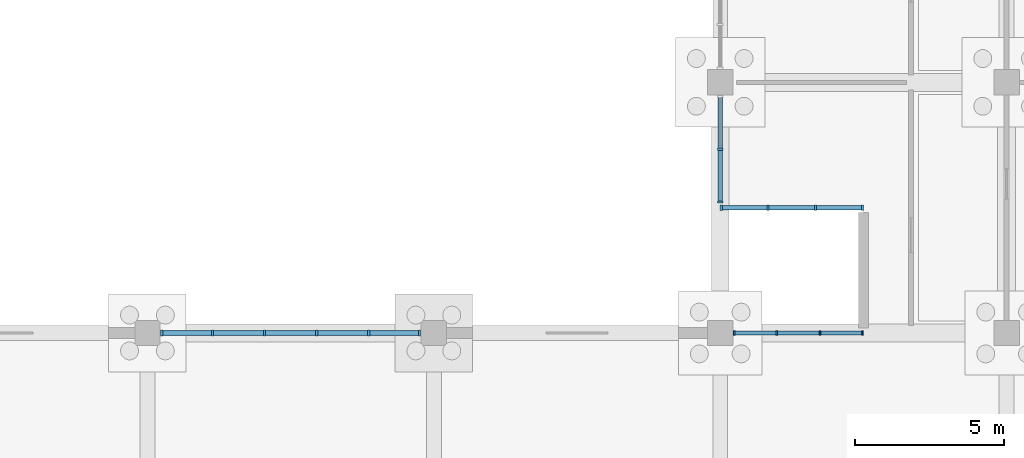
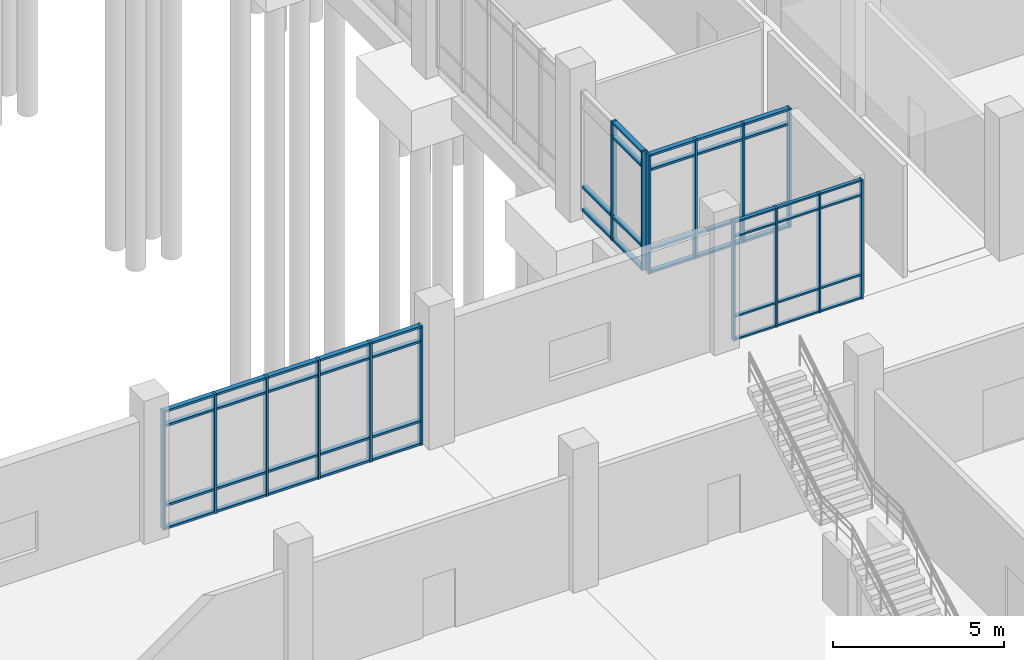
# One storey, part 34 of 136: 66 members, 4 elements without a shape of their own.
"""IFC4 building model written with IfcOpenShell, lengths in metres."""

from ifc_helpers import new_model, si_unit, direction, frame, origin, origin_2d, place, context, subcontext, project, spatial, rectangle, extrude, material, material_profile, profile_set, type_object, element, aggregate, save


model = new_model("IFC4")

# Units and contexts
model_context = context("Model", 3, precision=1e-05, world=origin(), true_north=direction((0.0, 1.0)))
body_context = subcontext(model_context, "Body", "Model", "MODEL_VIEW")
ifc_project = project(units=[si_unit("LENGTHUNIT", "METRE"), si_unit("AREAUNIT", "SQUARE_METRE"), si_unit("VOLUMEUNIT", "CUBIC_METRE"), si_unit("PLANEANGLEUNIT", "RADIAN"), si_unit("MASSUNIT", "GRAM", prefix="KILO")], contexts=[model_context])

# Site, building, storey
site_placement = place(None, origin())
site = spatial("IfcSite", under=ifc_project, at=site_placement, CompositionType="ELEMENT")
building_placement = place(site_placement, origin())
building = spatial("IfcBuilding", under=site, at=building_placement, Name="Oolite Switchyard Hospital", CompositionType="ELEMENT")
storey_placement = place(building_placement, origin())
storey = spatial("IfcBuildingStorey", under=building, at=storey_placement, Name="L00", CompositionType="ELEMENT", Elevation=0.0)

# Curtain wall, members
ifc_material_1 = material(Name="Thermally broken aluminum frame with laminated impact glazing", Category="aluminium")
curtain_wall_type_1 = type_object("IfcCurtainWallType", Name="CW-UNIT-84X51", PredefinedType="USERDEFINED", material=ifc_material_1)
curtain_wall_1_placement = place(storey_placement, origin())
curtain_wall_1 = element("IfcCurtainWall", 1, at=curtain_wall_1_placement, inside=storey, type_object=curtain_wall_type_1, Name="L00 Unitised Curtain Wall 18", ObjectType="UNITISED", PredefinedType="USERDEFINED")
ifc_material_2 = material(Name="Aluminium 6063-T6", Category="aluminium")
ifc_material_profile_1 = material_profile(ifc_material_2, rectangle(XDim=0.159912109375, YDim=0.06005859375, at=origin_2d()), Name="CWM60X160")
ifc_profile_set_1 = profile_set([ifc_material_profile_1], Name="Aluminium 6063-T6")
member_type_1 = type_object("IfcMemberType", Name="CW-MUL-180", PredefinedType="MULLION", material=ifc_profile_set_1)
member_1_placement = place(storey_placement, frame((115.669921875, 33.60009765625, 0.0), z_axis=(0.0, 0.0, 1.0), x_axis=(0.0, 1.0, 0.0)))
member_1 = element("IfcMember", 2, at=member_1_placement, type_object=member_type_1, Name="CW-06 mullion 1", PredefinedType="MULLION", context=body_context, shape_type="SweptSolid", body=[
    extrude(rectangle(XDim=0.159912109375, YDim=0.06005859375, at=origin_2d()), origin(), (0.0, 0.0, 1.0), 4.239990234375),
])
member_2_placement = place(storey_placement, frame((117.09326171875, 33.60009765625, 0.0), z_axis=(0.0, 0.0, 1.0), x_axis=(0.0, 1.0, 0.0)))
member_2 = element("IfcMember", 3, at=member_2_placement, type_object=member_type_1, Name="CW-06 mullion 2", PredefinedType="MULLION", context=body_context, shape_type="SweptSolid", body=[
    extrude(rectangle(XDim=0.159912109375, YDim=0.06005859375, at=origin_2d()), origin(), (0.0, 0.0, 1.0), 4.239990234375),
])
member_3_placement = place(storey_placement, frame((118.546630859375, 33.60009765625, 0.0), z_axis=(0.0, 0.0, 1.0), x_axis=(0.0, 1.0, 0.0)))
member_3 = element("IfcMember", 4, at=member_3_placement, type_object=member_type_1, Name="CW-06 mullion 3", PredefinedType="MULLION", context=body_context, shape_type="SweptSolid", body=[
    extrude(rectangle(XDim=0.159912109375, YDim=0.06005859375, at=origin_2d()), origin(), (0.0, 0.0, 1.0), 4.239990234375),
])
member_4_placement = place(storey_placement, frame((119.969970703125, 33.60009765625, 0.0), z_axis=(0.0, 0.0, 1.0), x_axis=(0.0, 1.0, 0.0)))
member_4 = element("IfcMember", 5, at=member_4_placement, type_object=member_type_1, Name="CW-06 mullion 4", PredefinedType="MULLION", context=body_context, shape_type="SweptSolid", body=[
    extrude(rectangle(XDim=0.159912109375, YDim=0.06005859375, at=origin_2d()), origin(), (0.0, 0.0, 1.0), 4.239990234375),
])

curtain_wall_2_placement = place(storey_placement, origin())
curtain_wall_2 = element("IfcCurtainWall", 6, at=curtain_wall_2_placement, inside=storey, type_object=curtain_wall_type_1, Name="L00 Unitised Curtain Wall 19", ObjectType="UNITISED", PredefinedType="USERDEFINED")
ifc_material_profile_2 = material_profile(ifc_material_2, rectangle(XDim=0.179931640625, YDim=0.070068359375, at=origin_2d()), Name="CWM70X180")
ifc_profile_set_2 = profile_set([ifc_material_profile_2], Name="Aluminium 6063-T6")
member_type_2 = type_object("IfcMemberType", Name="CW-MUL-220", PredefinedType="MULLION", material=ifc_profile_set_2)
member_5_placement = place(storey_placement, frame((119.965087890625, 37.800048828125, 0.0), z_axis=(0.0, 0.0, 1.0), x_axis=(0.0, -1.0, 0.0)))
member_5 = element("IfcMember", 7, at=member_5_placement, type_object=member_type_2, Name="CW-06 mullion 1", PredefinedType="MULLION", context=body_context, shape_type="SweptSolid", body=[
    extrude(rectangle(XDim=0.179931640625, YDim=0.070068359375, at=origin_2d()), origin(), (0.0, 0.0, 1.0), 4.239990234375),
])
member_6_placement = place(storey_placement, frame((118.39990234375, 37.800048828125, 0.0), z_axis=(0.0, 0.0, 1.0), x_axis=(0.0, -1.0, 0.0)))
member_6 = element("IfcMember", 8, at=member_6_placement, type_object=member_type_2, Name="CW-06 mullion 2", PredefinedType="MULLION", context=body_context, shape_type="SweptSolid", body=[
    extrude(rectangle(XDim=0.179931640625, YDim=0.070068359375, at=origin_2d()), origin(), (0.0, 0.0, 1.0), 4.239990234375),
])
member_7_placement = place(storey_placement, frame((116.800048828125, 37.800048828125, 0.0), z_axis=(0.0, 0.0, 1.0), x_axis=(0.0, -1.0, 0.0)))
member_7 = element("IfcMember", 9, at=member_7_placement, type_object=member_type_2, Name="CW-06 mullion 3", PredefinedType="MULLION", context=body_context, shape_type="SweptSolid", body=[
    extrude(rectangle(XDim=0.179931640625, YDim=0.070068359375, at=origin_2d()), origin(), (0.0, 0.0, 1.0), 4.239990234375),
])
member_8_placement = place(storey_placement, frame((115.235107421875, 37.800048828125, 0.0), z_axis=(0.0, 0.0, 1.0), x_axis=(0.0, -1.0, 0.0)))
member_8 = element("IfcMember", 10, at=member_8_placement, type_object=member_type_2, Name="CW-06 mullion 4", PredefinedType="MULLION", context=body_context, shape_type="SweptSolid", body=[
    extrude(rectangle(XDim=0.179931640625, YDim=0.070068359375, at=origin_2d()), origin(), (0.0, 0.0, 1.0), 4.239990234375),
])

curtain_wall_3_placement = place(storey_placement, origin())
curtain_wall_3 = element("IfcCurtainWall", 11, at=curtain_wall_3_placement, inside=storey, type_object=curtain_wall_type_1, Name="L00 Unitised Curtain Wall 67", ObjectType="UNITISED", PredefinedType="USERDEFINED")
member_9_placement = place(storey_placement, frame((115.199951171875, 37.9951171875, 0.0), z_axis=(0.0, 0.0, 1.0), x_axis=(-1.0, 0.0, 0.0)))
member_9 = element("IfcMember", 12, at=member_9_placement, type_object=member_type_2, Name="CW-06 mullion 1", PredefinedType="MULLION", context=body_context, shape_type="SweptSolid", body=[
    extrude(rectangle(XDim=0.179931640625, YDim=0.070068359375, at=origin_2d()), origin(), (0.0, 0.0, 1.0), 4.239990234375),
])
member_10_placement = place(storey_placement, frame((115.199951171875, 39.760009765625, 0.0), z_axis=(0.0, 0.0, 1.0), x_axis=(-1.0, 0.0, 0.0)))
member_10 = element("IfcMember", 13, at=member_10_placement, type_object=member_type_2, Name="CW-06 mullion 2", PredefinedType="MULLION", context=body_context, shape_type="SweptSolid", body=[
    extrude(rectangle(XDim=0.179931640625, YDim=0.070068359375, at=origin_2d()), origin(), (0.0, 0.0, 1.0), 4.239990234375),
])

curtain_wall_type_2 = type_object("IfcCurtainWallType", Name="CW-UNIT-96X51", PredefinedType="USERDEFINED", material=ifc_material_1)
curtain_wall_4_placement = place(storey_placement, origin())
curtain_wall_4 = element("IfcCurtainWall", 14, at=curtain_wall_4_placement, inside=storey, type_object=curtain_wall_type_2, Name="L00 Unitised Curtain Wall 17", ObjectType="UNITISED", PredefinedType="USERDEFINED")
ifc_material_profile_3 = material_profile(ifc_material_2, rectangle(XDim=0.199951171875, YDim=0.074951171875, at=origin_2d()), Name="CWM75X200")
ifc_profile_set_3 = profile_set([ifc_material_profile_3], Name="Aluminium 6063-T6")
member_type_3 = type_object("IfcMemberType", Name="CW-MUL-260", PredefinedType="MULLION", material=ifc_profile_set_3)
member_11_placement = place(storey_placement, frame((96.4775390625, 33.60009765625, 0.0), z_axis=(0.0, 0.0, 1.0), x_axis=(0.0, 1.0, 0.0)))
member_11 = element("IfcMember", 15, at=member_11_placement, type_object=member_type_3, Name="CW-01 mullion 1", PredefinedType="MULLION", context=body_context, shape_type="SweptSolid", body=[
    extrude(rectangle(XDim=0.199951171875, YDim=0.074951171875, at=origin_2d()), origin(), (0.0, 0.0, 1.0), 4.239990234375),
])
member_12_placement = place(storey_placement, frame((98.18408203125, 33.60009765625, 0.0), z_axis=(0.0, 0.0, 1.0), x_axis=(0.0, 1.0, 0.0)))
member_12 = element("IfcMember", 16, at=member_12_placement, type_object=member_type_3, Name="CW-01 mullion 2", PredefinedType="MULLION", context=body_context, shape_type="SweptSolid", body=[
    extrude(rectangle(XDim=0.199951171875, YDim=0.074951171875, at=origin_2d()), origin(), (0.0, 0.0, 1.0), 4.239990234375),
])
member_13_placement = place(storey_placement, frame((99.927978515625, 33.60009765625, 0.0), z_axis=(0.0, 0.0, 1.0), x_axis=(0.0, 1.0, 0.0)))
member_13 = element("IfcMember", 17, at=member_13_placement, type_object=member_type_3, Name="CW-01 mullion 3", PredefinedType="MULLION", context=body_context, shape_type="SweptSolid", body=[
    extrude(rectangle(XDim=0.199951171875, YDim=0.074951171875, at=origin_2d()), origin(), (0.0, 0.0, 1.0), 4.239990234375),
])
member_14_placement = place(storey_placement, frame((101.672119140625, 33.60009765625, 0.0), z_axis=(0.0, 0.0, 1.0), x_axis=(0.0, 1.0, 0.0)))
member_14 = element("IfcMember", 18, at=member_14_placement, type_object=member_type_3, Name="CW-01 mullion 4", PredefinedType="MULLION", context=body_context, shape_type="SweptSolid", body=[
    extrude(rectangle(XDim=0.199951171875, YDim=0.074951171875, at=origin_2d()), origin(), (0.0, 0.0, 1.0), 4.239990234375),
])
member_15_placement = place(storey_placement, frame((103.416015625, 33.60009765625, 0.0), z_axis=(0.0, 0.0, 1.0), x_axis=(0.0, 1.0, 0.0)))
member_15 = element("IfcMember", 19, at=member_15_placement, type_object=member_type_3, Name="CW-01 mullion 5", PredefinedType="MULLION", context=body_context, shape_type="SweptSolid", body=[
    extrude(rectangle(XDim=0.199951171875, YDim=0.074951171875, at=origin_2d()), origin(), (0.0, 0.0, 1.0), 4.239990234375),
])
member_16_placement = place(storey_placement, frame((105.12255859375, 33.60009765625, 0.0), z_axis=(0.0, 0.0, 1.0), x_axis=(0.0, 1.0, 0.0)))
member_16 = element("IfcMember", 20, at=member_16_placement, type_object=member_type_3, Name="CW-01 mullion 6", PredefinedType="MULLION", context=body_context, shape_type="SweptSolid", body=[
    extrude(rectangle(XDim=0.199951171875, YDim=0.074951171875, at=origin_2d()), origin(), (0.0, 0.0, 1.0), 4.239990234375),
])

# Member
ifc_material_profile_4 = material_profile(ifc_material_2, rectangle(XDim=0.1201171875, YDim=0.06005859375, at=origin_2d()), Name="CWT60X120")
ifc_profile_set_4 = profile_set([ifc_material_profile_4], Name="Aluminium 6063-T6")
member_type_4 = type_object("IfcMemberType", Name="CW-TRN-150", PredefinedType="USERDEFINED", material=ifc_profile_set_4)
member_17_placement = place(storey_placement, frame((115.699951171875, 33.60009765625, 0.030029296875), z_axis=(1.0, 0.0, 0.0), x_axis=(0.0, 1.0, 0.0)))
member_17 = element("IfcMember", 21, at=member_17_placement, type_object=member_type_4, Name="CW-06 transom 1.1", ObjectType="TRANSOM", PredefinedType="USERDEFINED", context=body_context, shape_type="SweptSolid", body=[
    extrude(rectangle(XDim=0.1201171875, YDim=0.06005859375, at=origin_2d()), origin(), (0.0, 0.0, 1.0), 1.36328125),
])

member_18_placement = place(storey_placement, frame((115.699951171875, 33.60009765625, 0.85009765625), z_axis=(1.0, 0.0, 0.0), x_axis=(0.0, 1.0, 0.0)))
member_18 = element("IfcMember", 22, at=member_18_placement, type_object=member_type_4, Name="CW-06 transom 1.2", ObjectType="TRANSOM", PredefinedType="USERDEFINED", context=body_context, shape_type="SweptSolid", body=[
    extrude(rectangle(XDim=0.1201171875, YDim=0.06005859375, at=origin_2d()), origin(), (0.0, 0.0, 1.0), 1.36328125),
])

member_19_placement = place(storey_placement, frame((115.699951171875, 33.60009765625, 3.68994140625), z_axis=(1.0, 0.0, 0.0), x_axis=(0.0, 1.0, 0.0)))
member_19 = element("IfcMember", 23, at=member_19_placement, type_object=member_type_4, Name="CW-06 transom 1.3", ObjectType="TRANSOM", PredefinedType="USERDEFINED", context=body_context, shape_type="SweptSolid", body=[
    extrude(rectangle(XDim=0.1201171875, YDim=0.06005859375, at=origin_2d()), origin(), (0.0, 0.0, 1.0), 1.36328125),
])

member_20_placement = place(storey_placement, frame((115.699951171875, 33.60009765625, 4.2099609375), z_axis=(1.0, 0.0, 0.0), x_axis=(0.0, 1.0, 0.0)))
member_20 = element("IfcMember", 24, at=member_20_placement, type_object=member_type_4, Name="CW-06 transom 1.4", ObjectType="TRANSOM", PredefinedType="USERDEFINED", context=body_context, shape_type="SweptSolid", body=[
    extrude(rectangle(XDim=0.1201171875, YDim=0.06005859375, at=origin_2d()), origin(), (0.0, 0.0, 1.0), 1.36328125),
])

member_21_placement = place(storey_placement, frame((117.123291015625, 33.60009765625, 0.030029296875), z_axis=(1.0, 0.0, 0.0), x_axis=(0.0, 1.0, 0.0)))
member_21 = element("IfcMember", 25, at=member_21_placement, type_object=member_type_4, Name="CW-06 transom 2.1", ObjectType="TRANSOM", PredefinedType="USERDEFINED", context=body_context, shape_type="SweptSolid", body=[
    extrude(rectangle(XDim=0.1201171875, YDim=0.06005859375, at=origin_2d()), origin(), (0.0, 0.0, 1.0), 1.393310546875),
])

member_22_placement = place(storey_placement, frame((117.123291015625, 33.60009765625, 0.85009765625), z_axis=(1.0, 0.0, 0.0), x_axis=(0.0, 1.0, 0.0)))
member_22 = element("IfcMember", 26, at=member_22_placement, type_object=member_type_4, Name="CW-06 transom 2.2", ObjectType="TRANSOM", PredefinedType="USERDEFINED", context=body_context, shape_type="SweptSolid", body=[
    extrude(rectangle(XDim=0.1201171875, YDim=0.06005859375, at=origin_2d()), origin(), (0.0, 0.0, 1.0), 1.393310546875),
])

member_23_placement = place(storey_placement, frame((117.123291015625, 33.60009765625, 3.68994140625), z_axis=(1.0, 0.0, 0.0), x_axis=(0.0, 1.0, 0.0)))
member_23 = element("IfcMember", 27, at=member_23_placement, type_object=member_type_4, Name="CW-06 transom 2.3", ObjectType="TRANSOM", PredefinedType="USERDEFINED", context=body_context, shape_type="SweptSolid", body=[
    extrude(rectangle(XDim=0.1201171875, YDim=0.06005859375, at=origin_2d()), origin(), (0.0, 0.0, 1.0), 1.393310546875),
])

member_24_placement = place(storey_placement, frame((117.123291015625, 33.60009765625, 4.2099609375), z_axis=(1.0, 0.0, 0.0), x_axis=(0.0, 1.0, 0.0)))
member_24 = element("IfcMember", 28, at=member_24_placement, type_object=member_type_4, Name="CW-06 transom 2.4", ObjectType="TRANSOM", PredefinedType="USERDEFINED", context=body_context, shape_type="SweptSolid", body=[
    extrude(rectangle(XDim=0.1201171875, YDim=0.06005859375, at=origin_2d()), origin(), (0.0, 0.0, 1.0), 1.393310546875),
])

member_25_placement = place(storey_placement, frame((118.57666015625, 33.60009765625, 0.030029296875), z_axis=(1.0, 0.0, 0.0), x_axis=(0.0, 1.0, 0.0)))
member_25 = element("IfcMember", 29, at=member_25_placement, type_object=member_type_4, Name="CW-06 transom 3.1", ObjectType="TRANSOM", PredefinedType="USERDEFINED", context=body_context, shape_type="SweptSolid", body=[
    extrude(rectangle(XDim=0.1201171875, YDim=0.06005859375, at=origin_2d()), origin(), (0.0, 0.0, 1.0), 1.36328125),
])

member_26_placement = place(storey_placement, frame((118.57666015625, 33.60009765625, 0.85009765625), z_axis=(1.0, 0.0, 0.0), x_axis=(0.0, 1.0, 0.0)))
member_26 = element("IfcMember", 30, at=member_26_placement, type_object=member_type_4, Name="CW-06 transom 3.2", ObjectType="TRANSOM", PredefinedType="USERDEFINED", context=body_context, shape_type="SweptSolid", body=[
    extrude(rectangle(XDim=0.1201171875, YDim=0.06005859375, at=origin_2d()), origin(), (0.0, 0.0, 1.0), 1.36328125),
])

member_27_placement = place(storey_placement, frame((118.57666015625, 33.60009765625, 3.68994140625), z_axis=(1.0, 0.0, 0.0), x_axis=(0.0, 1.0, 0.0)))
member_27 = element("IfcMember", 31, at=member_27_placement, type_object=member_type_4, Name="CW-06 transom 3.3", ObjectType="TRANSOM", PredefinedType="USERDEFINED", context=body_context, shape_type="SweptSolid", body=[
    extrude(rectangle(XDim=0.1201171875, YDim=0.06005859375, at=origin_2d()), origin(), (0.0, 0.0, 1.0), 1.36328125),
])

member_28_placement = place(storey_placement, frame((118.57666015625, 33.60009765625, 4.2099609375), z_axis=(1.0, 0.0, 0.0), x_axis=(0.0, 1.0, 0.0)))
member_28 = element("IfcMember", 32, at=member_28_placement, type_object=member_type_4, Name="CW-06 transom 3.4", ObjectType="TRANSOM", PredefinedType="USERDEFINED", context=body_context, shape_type="SweptSolid", body=[
    extrude(rectangle(XDim=0.1201171875, YDim=0.06005859375, at=origin_2d()), origin(), (0.0, 0.0, 1.0), 1.36328125),
])

aggregate(curtain_wall_1, [member_1, member_2, member_3, member_4, member_17, member_18, member_19, member_20, member_21, member_22, member_23, member_24, member_25, member_26, member_27, member_28])

ifc_material_profile_5 = material_profile(ifc_material_2, rectangle(XDim=0.159912109375, YDim=0.074951171875, at=origin_2d()), Name="CWT75X160")
ifc_profile_set_5 = profile_set([ifc_material_profile_5], Name="Aluminium 6063-T6")
member_type_5 = type_object("IfcMemberType", Name="CW-TRN-180", PredefinedType="USERDEFINED", material=ifc_profile_set_5)
member_29_placement = place(storey_placement, frame((96.514892578125, 33.60009765625, 0.03759765625), z_axis=(1.0, 0.0, 0.0), x_axis=(0.0, 1.0, 0.0)))
member_29 = element("IfcMember", 33, at=member_29_placement, type_object=member_type_5, Name="CW-01 transom 1.1", ObjectType="TRANSOM", PredefinedType="USERDEFINED", context=body_context, shape_type="SweptSolid", body=[
    extrude(rectangle(XDim=0.159912109375, YDim=0.074951171875, at=origin_2d()), origin(), (0.0, 0.0, 1.0), 1.631591796875),
])

member_30_placement = place(storey_placement, frame((96.514892578125, 33.60009765625, 0.85009765625), z_axis=(1.0, 0.0, 0.0), x_axis=(0.0, 1.0, 0.0)))
member_30 = element("IfcMember", 34, at=member_30_placement, type_object=member_type_5, Name="CW-01 transom 1.2", ObjectType="TRANSOM", PredefinedType="USERDEFINED", context=body_context, shape_type="SweptSolid", body=[
    extrude(rectangle(XDim=0.159912109375, YDim=0.074951171875, at=origin_2d()), origin(), (0.0, 0.0, 1.0), 1.631591796875),
])

member_31_placement = place(storey_placement, frame((96.514892578125, 33.60009765625, 3.68994140625), z_axis=(1.0, 0.0, 0.0), x_axis=(0.0, 1.0, 0.0)))
member_31 = element("IfcMember", 35, at=member_31_placement, type_object=member_type_5, Name="CW-01 transom 1.3", ObjectType="TRANSOM", PredefinedType="USERDEFINED", context=body_context, shape_type="SweptSolid", body=[
    extrude(rectangle(XDim=0.159912109375, YDim=0.074951171875, at=origin_2d()), origin(), (0.0, 0.0, 1.0), 1.631591796875),
])

member_32_placement = place(storey_placement, frame((96.514892578125, 33.60009765625, 4.202392578125), z_axis=(1.0, 0.0, 0.0), x_axis=(0.0, 1.0, 0.0)))
member_32 = element("IfcMember", 36, at=member_32_placement, type_object=member_type_5, Name="CW-01 transom 1.4", ObjectType="TRANSOM", PredefinedType="USERDEFINED", context=body_context, shape_type="SweptSolid", body=[
    extrude(rectangle(XDim=0.159912109375, YDim=0.074951171875, at=origin_2d()), origin(), (0.0, 0.0, 1.0), 1.631591796875),
])

member_33_placement = place(storey_placement, frame((98.221435546875, 33.60009765625, 0.03759765625), z_axis=(1.0, 0.0, 0.0), x_axis=(0.0, 1.0, 0.0)))
member_33 = element("IfcMember", 37, at=member_33_placement, type_object=member_type_5, Name="CW-01 transom 2.1", ObjectType="TRANSOM", PredefinedType="USERDEFINED", context=body_context, shape_type="SweptSolid", body=[
    extrude(rectangle(XDim=0.159912109375, YDim=0.074951171875, at=origin_2d()), origin(), (0.0, 0.0, 1.0), 1.6689453125),
])

member_34_placement = place(storey_placement, frame((98.221435546875, 33.60009765625, 0.85009765625), z_axis=(1.0, 0.0, 0.0), x_axis=(0.0, 1.0, 0.0)))
member_34 = element("IfcMember", 38, at=member_34_placement, type_object=member_type_5, Name="CW-01 transom 2.2", ObjectType="TRANSOM", PredefinedType="USERDEFINED", context=body_context, shape_type="SweptSolid", body=[
    extrude(rectangle(XDim=0.159912109375, YDim=0.074951171875, at=origin_2d()), origin(), (0.0, 0.0, 1.0), 1.6689453125),
])

member_35_placement = place(storey_placement, frame((98.221435546875, 33.60009765625, 3.68994140625), z_axis=(1.0, 0.0, 0.0), x_axis=(0.0, 1.0, 0.0)))
member_35 = element("IfcMember", 39, at=member_35_placement, type_object=member_type_5, Name="CW-01 transom 2.3", ObjectType="TRANSOM", PredefinedType="USERDEFINED", context=body_context, shape_type="SweptSolid", body=[
    extrude(rectangle(XDim=0.159912109375, YDim=0.074951171875, at=origin_2d()), origin(), (0.0, 0.0, 1.0), 1.6689453125),
])

member_36_placement = place(storey_placement, frame((98.221435546875, 33.60009765625, 4.202392578125), z_axis=(1.0, 0.0, 0.0), x_axis=(0.0, 1.0, 0.0)))
member_36 = element("IfcMember", 40, at=member_36_placement, type_object=member_type_5, Name="CW-01 transom 2.4", ObjectType="TRANSOM", PredefinedType="USERDEFINED", context=body_context, shape_type="SweptSolid", body=[
    extrude(rectangle(XDim=0.159912109375, YDim=0.074951171875, at=origin_2d()), origin(), (0.0, 0.0, 1.0), 1.6689453125),
])

member_37_placement = place(storey_placement, frame((99.965576171875, 33.60009765625, 0.03759765625), z_axis=(1.0, 0.0, 0.0), x_axis=(0.0, 1.0, 0.0)))
member_37 = element("IfcMember", 41, at=member_37_placement, type_object=member_type_5, Name="CW-01 transom 3.1", ObjectType="TRANSOM", PredefinedType="USERDEFINED", context=body_context, shape_type="SweptSolid", body=[
    extrude(rectangle(XDim=0.159912109375, YDim=0.074951171875, at=origin_2d()), origin(), (0.0, 0.0, 1.0), 1.6689453125),
])

member_38_placement = place(storey_placement, frame((99.965576171875, 33.60009765625, 0.85009765625), z_axis=(1.0, 0.0, 0.0), x_axis=(0.0, 1.0, 0.0)))
member_38 = element("IfcMember", 42, at=member_38_placement, type_object=member_type_5, Name="CW-01 transom 3.2", ObjectType="TRANSOM", PredefinedType="USERDEFINED", context=body_context, shape_type="SweptSolid", body=[
    extrude(rectangle(XDim=0.159912109375, YDim=0.074951171875, at=origin_2d()), origin(), (0.0, 0.0, 1.0), 1.6689453125),
])

member_39_placement = place(storey_placement, frame((99.965576171875, 33.60009765625, 3.68994140625), z_axis=(1.0, 0.0, 0.0), x_axis=(0.0, 1.0, 0.0)))
member_39 = element("IfcMember", 43, at=member_39_placement, type_object=member_type_5, Name="CW-01 transom 3.3", ObjectType="TRANSOM", PredefinedType="USERDEFINED", context=body_context, shape_type="SweptSolid", body=[
    extrude(rectangle(XDim=0.159912109375, YDim=0.074951171875, at=origin_2d()), origin(), (0.0, 0.0, 1.0), 1.6689453125),
])

member_40_placement = place(storey_placement, frame((99.965576171875, 33.60009765625, 4.202392578125), z_axis=(1.0, 0.0, 0.0), x_axis=(0.0, 1.0, 0.0)))
member_40 = element("IfcMember", 44, at=member_40_placement, type_object=member_type_5, Name="CW-01 transom 3.4", ObjectType="TRANSOM", PredefinedType="USERDEFINED", context=body_context, shape_type="SweptSolid", body=[
    extrude(rectangle(XDim=0.159912109375, YDim=0.074951171875, at=origin_2d()), origin(), (0.0, 0.0, 1.0), 1.6689453125),
])

member_41_placement = place(storey_placement, frame((101.70947265625, 33.60009765625, 0.03759765625), z_axis=(1.0, 0.0, 0.0), x_axis=(0.0, 1.0, 0.0)))
member_41 = element("IfcMember", 45, at=member_41_placement, type_object=member_type_5, Name="CW-01 transom 4.1", ObjectType="TRANSOM", PredefinedType="USERDEFINED", context=body_context, shape_type="SweptSolid", body=[
    extrude(rectangle(XDim=0.159912109375, YDim=0.074951171875, at=origin_2d()), origin(), (0.0, 0.0, 1.0), 1.6689453125),
])

member_42_placement = place(storey_placement, frame((101.70947265625, 33.60009765625, 0.85009765625), z_axis=(1.0, 0.0, 0.0), x_axis=(0.0, 1.0, 0.0)))
member_42 = element("IfcMember", 46, at=member_42_placement, type_object=member_type_5, Name="CW-01 transom 4.2", ObjectType="TRANSOM", PredefinedType="USERDEFINED", context=body_context, shape_type="SweptSolid", body=[
    extrude(rectangle(XDim=0.159912109375, YDim=0.074951171875, at=origin_2d()), origin(), (0.0, 0.0, 1.0), 1.6689453125),
])

member_43_placement = place(storey_placement, frame((101.70947265625, 33.60009765625, 3.68994140625), z_axis=(1.0, 0.0, 0.0), x_axis=(0.0, 1.0, 0.0)))
member_43 = element("IfcMember", 47, at=member_43_placement, type_object=member_type_5, Name="CW-01 transom 4.3", ObjectType="TRANSOM", PredefinedType="USERDEFINED", context=body_context, shape_type="SweptSolid", body=[
    extrude(rectangle(XDim=0.159912109375, YDim=0.074951171875, at=origin_2d()), origin(), (0.0, 0.0, 1.0), 1.6689453125),
])

member_44_placement = place(storey_placement, frame((101.70947265625, 33.60009765625, 4.202392578125), z_axis=(1.0, 0.0, 0.0), x_axis=(0.0, 1.0, 0.0)))
member_44 = element("IfcMember", 48, at=member_44_placement, type_object=member_type_5, Name="CW-01 transom 4.4", ObjectType="TRANSOM", PredefinedType="USERDEFINED", context=body_context, shape_type="SweptSolid", body=[
    extrude(rectangle(XDim=0.159912109375, YDim=0.074951171875, at=origin_2d()), origin(), (0.0, 0.0, 1.0), 1.6689453125),
])

member_45_placement = place(storey_placement, frame((103.45361328125, 33.60009765625, 0.03759765625), z_axis=(1.0, 0.0, 0.0), x_axis=(0.0, 1.0, 0.0)))
member_45 = element("IfcMember", 49, at=member_45_placement, type_object=member_type_5, Name="CW-01 transom 5.1", ObjectType="TRANSOM", PredefinedType="USERDEFINED", context=body_context, shape_type="SweptSolid", body=[
    extrude(rectangle(XDim=0.159912109375, YDim=0.074951171875, at=origin_2d()), origin(), (0.0, 0.0, 1.0), 1.63134765625),
])

member_46_placement = place(storey_placement, frame((103.45361328125, 33.60009765625, 0.85009765625), z_axis=(1.0, 0.0, 0.0), x_axis=(0.0, 1.0, 0.0)))
member_46 = element("IfcMember", 50, at=member_46_placement, type_object=member_type_5, Name="CW-01 transom 5.2", ObjectType="TRANSOM", PredefinedType="USERDEFINED", context=body_context, shape_type="SweptSolid", body=[
    extrude(rectangle(XDim=0.159912109375, YDim=0.074951171875, at=origin_2d()), origin(), (0.0, 0.0, 1.0), 1.63134765625),
])

member_47_placement = place(storey_placement, frame((103.45361328125, 33.60009765625, 3.68994140625), z_axis=(1.0, 0.0, 0.0), x_axis=(0.0, 1.0, 0.0)))
member_47 = element("IfcMember", 51, at=member_47_placement, type_object=member_type_5, Name="CW-01 transom 5.3", ObjectType="TRANSOM", PredefinedType="USERDEFINED", context=body_context, shape_type="SweptSolid", body=[
    extrude(rectangle(XDim=0.159912109375, YDim=0.074951171875, at=origin_2d()), origin(), (0.0, 0.0, 1.0), 1.63134765625),
])

member_48_placement = place(storey_placement, frame((103.45361328125, 33.60009765625, 4.202392578125), z_axis=(1.0, 0.0, 0.0), x_axis=(0.0, 1.0, 0.0)))
member_48 = element("IfcMember", 52, at=member_48_placement, type_object=member_type_5, Name="CW-01 transom 5.4", ObjectType="TRANSOM", PredefinedType="USERDEFINED", context=body_context, shape_type="SweptSolid", body=[
    extrude(rectangle(XDim=0.159912109375, YDim=0.074951171875, at=origin_2d()), origin(), (0.0, 0.0, 1.0), 1.63134765625),
])

aggregate(curtain_wall_4, [member_11, member_12, member_13, member_14, member_15, member_16, member_29, member_30, member_31, member_32, member_33, member_34, member_35, member_36, member_37, member_38, member_39, member_40, member_41, member_42, member_43, member_44, member_45, member_46, member_47, member_48])

member_49_placement = place(storey_placement, frame((119.929931640625, 37.800048828125, 0.03759765625), z_axis=(-1.0, 0.0, 0.0), x_axis=(0.0, -1.0, 0.0)))
member_49 = element("IfcMember", 53, at=member_49_placement, type_object=member_type_5, Name="CW-06 transom 1.1", ObjectType="TRANSOM", PredefinedType="USERDEFINED", context=body_context, shape_type="SweptSolid", body=[
    extrude(rectangle(XDim=0.159912109375, YDim=0.074951171875, at=origin_2d()), origin(), (0.0, 0.0, 1.0), 1.494873046875),
])

member_50_placement = place(storey_placement, frame((119.929931640625, 37.800048828125, 0.85009765625), z_axis=(-1.0, 0.0, 0.0), x_axis=(0.0, -1.0, 0.0)))
member_50 = element("IfcMember", 54, at=member_50_placement, type_object=member_type_5, Name="CW-06 transom 1.2", ObjectType="TRANSOM", PredefinedType="USERDEFINED", context=body_context, shape_type="SweptSolid", body=[
    extrude(rectangle(XDim=0.159912109375, YDim=0.074951171875, at=origin_2d()), origin(), (0.0, 0.0, 1.0), 1.494873046875),
])

member_51_placement = place(storey_placement, frame((119.929931640625, 37.800048828125, 3.68994140625), z_axis=(-1.0, 0.0, 0.0), x_axis=(0.0, -1.0, 0.0)))
member_51 = element("IfcMember", 55, at=member_51_placement, type_object=member_type_5, Name="CW-06 transom 1.3", ObjectType="TRANSOM", PredefinedType="USERDEFINED", context=body_context, shape_type="SweptSolid", body=[
    extrude(rectangle(XDim=0.159912109375, YDim=0.074951171875, at=origin_2d()), origin(), (0.0, 0.0, 1.0), 1.494873046875),
])

member_52_placement = place(storey_placement, frame((119.929931640625, 37.800048828125, 4.202392578125), z_axis=(-1.0, 0.0, 0.0), x_axis=(0.0, -1.0, 0.0)))
member_52 = element("IfcMember", 56, at=member_52_placement, type_object=member_type_5, Name="CW-06 transom 1.4", ObjectType="TRANSOM", PredefinedType="USERDEFINED", context=body_context, shape_type="SweptSolid", body=[
    extrude(rectangle(XDim=0.159912109375, YDim=0.074951171875, at=origin_2d()), origin(), (0.0, 0.0, 1.0), 1.494873046875),
])

member_53_placement = place(storey_placement, frame((118.364990234375, 37.800048828125, 0.03759765625), z_axis=(-1.0, 0.0, 0.0), x_axis=(0.0, -1.0, 0.0)))
member_53 = element("IfcMember", 57, at=member_53_placement, type_object=member_type_5, Name="CW-06 transom 2.1", ObjectType="TRANSOM", PredefinedType="USERDEFINED", context=body_context, shape_type="SweptSolid", body=[
    extrude(rectangle(XDim=0.159912109375, YDim=0.074951171875, at=origin_2d()), origin(), (0.0, 0.0, 1.0), 1.530029296875),
])

member_54_placement = place(storey_placement, frame((118.364990234375, 37.800048828125, 0.85009765625), z_axis=(-1.0, 0.0, 0.0), x_axis=(0.0, -1.0, 0.0)))
member_54 = element("IfcMember", 58, at=member_54_placement, type_object=member_type_5, Name="CW-06 transom 2.2", ObjectType="TRANSOM", PredefinedType="USERDEFINED", context=body_context, shape_type="SweptSolid", body=[
    extrude(rectangle(XDim=0.159912109375, YDim=0.074951171875, at=origin_2d()), origin(), (0.0, 0.0, 1.0), 1.530029296875),
])

member_55_placement = place(storey_placement, frame((118.364990234375, 37.800048828125, 3.68994140625), z_axis=(-1.0, 0.0, 0.0), x_axis=(0.0, -1.0, 0.0)))
member_55 = element("IfcMember", 59, at=member_55_placement, type_object=member_type_5, Name="CW-06 transom 2.3", ObjectType="TRANSOM", PredefinedType="USERDEFINED", context=body_context, shape_type="SweptSolid", body=[
    extrude(rectangle(XDim=0.159912109375, YDim=0.074951171875, at=origin_2d()), origin(), (0.0, 0.0, 1.0), 1.530029296875),
])

member_56_placement = place(storey_placement, frame((118.364990234375, 37.800048828125, 4.202392578125), z_axis=(-1.0, 0.0, 0.0), x_axis=(0.0, -1.0, 0.0)))
member_56 = element("IfcMember", 60, at=member_56_placement, type_object=member_type_5, Name="CW-06 transom 2.4", ObjectType="TRANSOM", PredefinedType="USERDEFINED", context=body_context, shape_type="SweptSolid", body=[
    extrude(rectangle(XDim=0.159912109375, YDim=0.074951171875, at=origin_2d()), origin(), (0.0, 0.0, 1.0), 1.530029296875),
])

member_57_placement = place(storey_placement, frame((116.764892578125, 37.800048828125, 0.03759765625), z_axis=(-1.0, 0.0, 0.0), x_axis=(0.0, -1.0, 0.0)))
member_57 = element("IfcMember", 61, at=member_57_placement, type_object=member_type_5, Name="CW-06 transom 3.1", ObjectType="TRANSOM", PredefinedType="USERDEFINED", context=body_context, shape_type="SweptSolid", body=[
    extrude(rectangle(XDim=0.159912109375, YDim=0.074951171875, at=origin_2d()), origin(), (0.0, 0.0, 1.0), 1.494873046875),
])

member_58_placement = place(storey_placement, frame((116.764892578125, 37.800048828125, 0.85009765625), z_axis=(-1.0, 0.0, 0.0), x_axis=(0.0, -1.0, 0.0)))
member_58 = element("IfcMember", 62, at=member_58_placement, type_object=member_type_5, Name="CW-06 transom 3.2", ObjectType="TRANSOM", PredefinedType="USERDEFINED", context=body_context, shape_type="SweptSolid", body=[
    extrude(rectangle(XDim=0.159912109375, YDim=0.074951171875, at=origin_2d()), origin(), (0.0, 0.0, 1.0), 1.494873046875),
])

member_59_placement = place(storey_placement, frame((116.764892578125, 37.800048828125, 3.68994140625), z_axis=(-1.0, 0.0, 0.0), x_axis=(0.0, -1.0, 0.0)))
member_59 = element("IfcMember", 63, at=member_59_placement, type_object=member_type_5, Name="CW-06 transom 3.3", ObjectType="TRANSOM", PredefinedType="USERDEFINED", context=body_context, shape_type="SweptSolid", body=[
    extrude(rectangle(XDim=0.159912109375, YDim=0.074951171875, at=origin_2d()), origin(), (0.0, 0.0, 1.0), 1.494873046875),
])

member_60_placement = place(storey_placement, frame((116.764892578125, 37.800048828125, 4.202392578125), z_axis=(-1.0, 0.0, 0.0), x_axis=(0.0, -1.0, 0.0)))
member_60 = element("IfcMember", 64, at=member_60_placement, type_object=member_type_5, Name="CW-06 transom 3.4", ObjectType="TRANSOM", PredefinedType="USERDEFINED", context=body_context, shape_type="SweptSolid", body=[
    extrude(rectangle(XDim=0.159912109375, YDim=0.074951171875, at=origin_2d()), origin(), (0.0, 0.0, 1.0), 1.494873046875),
])

aggregate(curtain_wall_2, [member_5, member_6, member_7, member_8, member_49, member_50, member_51, member_52, member_53, member_54, member_55, member_56, member_57, member_58, member_59, member_60])

member_61_placement = place(storey_placement, frame((115.199951171875, 38.030029296875, 0.03759765625), z_axis=(0.0, 1.0, 0.0), x_axis=(-1.0, 0.0, 0.0)))
member_61 = element("IfcMember", 65, at=member_61_placement, type_object=member_type_5, Name="CW-06 transom 1.1", ObjectType="TRANSOM", PredefinedType="USERDEFINED", context=body_context, shape_type="SweptSolid", body=[
    extrude(rectangle(XDim=0.159912109375, YDim=0.074951171875, at=origin_2d()), origin(), (0.0, 0.0, 1.0), 1.695068359375),
])

member_62_placement = place(storey_placement, frame((115.199951171875, 38.030029296875, 0.85009765625), z_axis=(0.0, 1.0, 0.0), x_axis=(-1.0, 0.0, 0.0)))
member_62 = element("IfcMember", 66, at=member_62_placement, type_object=member_type_5, Name="CW-06 transom 1.2", ObjectType="TRANSOM", PredefinedType="USERDEFINED", context=body_context, shape_type="SweptSolid", body=[
    extrude(rectangle(XDim=0.159912109375, YDim=0.074951171875, at=origin_2d()), origin(), (0.0, 0.0, 1.0), 1.695068359375),
])

member_63_placement = place(storey_placement, frame((115.199951171875, 38.030029296875, 3.68994140625), z_axis=(0.0, 1.0, 0.0), x_axis=(-1.0, 0.0, 0.0)))
member_63 = element("IfcMember", 67, at=member_63_placement, type_object=member_type_5, Name="CW-06 transom 1.3", ObjectType="TRANSOM", PredefinedType="USERDEFINED", context=body_context, shape_type="SweptSolid", body=[
    extrude(rectangle(XDim=0.159912109375, YDim=0.074951171875, at=origin_2d()), origin(), (0.0, 0.0, 1.0), 1.695068359375),
])

member_64_placement = place(storey_placement, frame((115.199951171875, 38.030029296875, 4.202392578125), z_axis=(0.0, 1.0, 0.0), x_axis=(-1.0, 0.0, 0.0)))
member_64 = element("IfcMember", 68, at=member_64_placement, type_object=member_type_5, Name="CW-06 transom 1.4", ObjectType="TRANSOM", PredefinedType="USERDEFINED", context=body_context, shape_type="SweptSolid", body=[
    extrude(rectangle(XDim=0.159912109375, YDim=0.074951171875, at=origin_2d()), origin(), (0.0, 0.0, 1.0), 1.695068359375),
])

member_65_placement = place(storey_placement, frame((115.199951171875, 39.794921875, 0.03759765625), z_axis=(0.0, 1.0, 0.0), x_axis=(-1.0, 0.0, 0.0)))
member_65 = element("IfcMember", 69, at=member_65_placement, type_object=member_type_5, Name="CW-06 transom 2.1", ObjectType="TRANSOM", PredefinedType="USERDEFINED", context=body_context, shape_type="SweptSolid", body=[
    extrude(rectangle(XDim=0.159912109375, YDim=0.074951171875, at=origin_2d()), origin(), (0.0, 0.0, 1.0), 1.695068359375),
])

member_66_placement = place(storey_placement, frame((115.199951171875, 39.794921875, 0.85009765625), z_axis=(0.0, 1.0, 0.0), x_axis=(-1.0, 0.0, 0.0)))
member_66 = element("IfcMember", 70, at=member_66_placement, type_object=member_type_5, Name="CW-06 transom 2.2", ObjectType="TRANSOM", PredefinedType="USERDEFINED", context=body_context, shape_type="SweptSolid", body=[
    extrude(rectangle(XDim=0.159912109375, YDim=0.074951171875, at=origin_2d()), origin(), (0.0, 0.0, 1.0), 1.695068359375),
])

aggregate(curtain_wall_3, [member_9, member_10, member_61, member_62, member_63, member_64, member_65, member_66])

save(model, "model.ifc")
